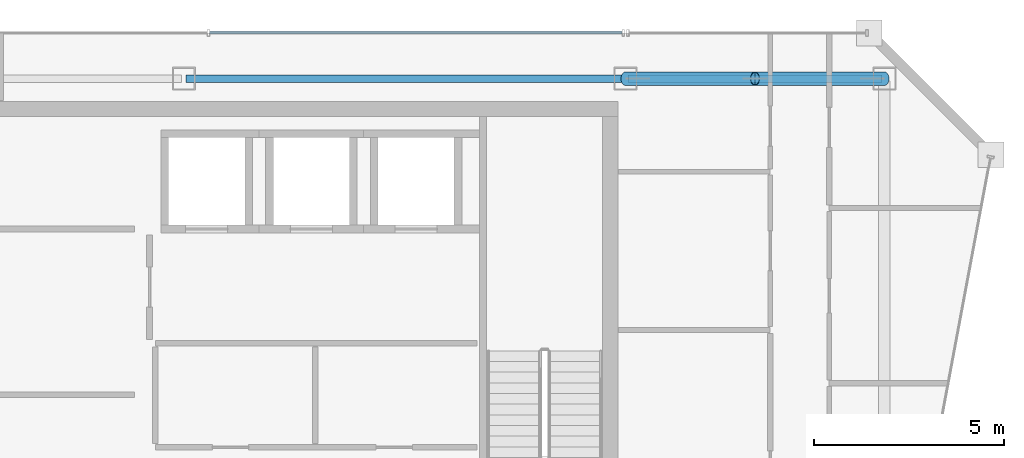
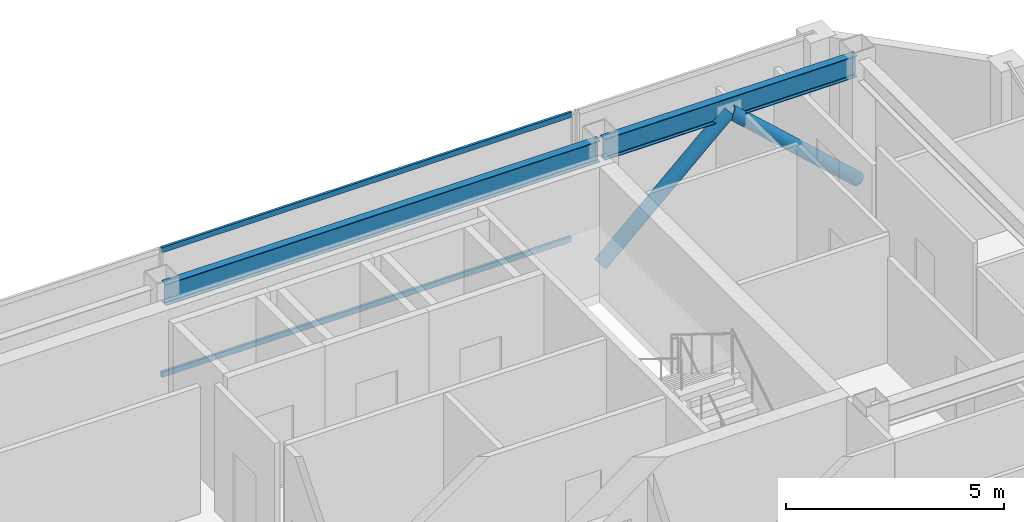
# One storey, part 15 of 23: 4 members, 2 beams, 1 element without a shape of its own.
"""IFC4 building model written with IfcOpenShell, lengths in metres."""

from ifc_helpers import new_model, si_unit, direction, frame, origin, origin_2d, place, context, subcontext, project, spatial, hollow_rectangle, hollow_circle, i_section, extrude, material, material_profile, profile_set, type_object, element, aggregate, save


model = new_model("IFC4")

# Units and contexts
model_context = context("Model", 3, precision=1e-05, world=origin(), true_north=direction((0.0, 1.0)))
body_context = subcontext(model_context, "Body", "Model", "MODEL_VIEW")
ifc_project = project(units=[si_unit("LENGTHUNIT", "METRE"), si_unit("AREAUNIT", "SQUARE_METRE"), si_unit("VOLUMEUNIT", "CUBIC_METRE"), si_unit("PLANEANGLEUNIT", "RADIAN"), si_unit("MASSUNIT", "GRAM", prefix="KILO")], contexts=[model_context])

# Site, building, storey
site_placement = place(None, origin())
site = spatial("IfcSite", under=ifc_project, at=site_placement, CompositionType="ELEMENT")
building_placement = place(site_placement, origin())
building = spatial("IfcBuilding", under=site, at=building_placement, Name="Saevonmaru Cultural Tower", CompositionType="ELEMENT")
storey_placement = place(building_placement, frame((0.0, 0.0, 280.0)))
storey = spatial("IfcBuildingStorey", under=building, at=storey_placement, Name="L66", CompositionType="ELEMENT", Elevation=280.0)

# Beams
ifc_material_1 = material(Name="Steel SM355", Category="steel")
ifc_material_profile_1 = material_profile(ifc_material_1, i_section(OverallWidth=0.199951171875, OverallDepth=0.60009765625, WebThickness=0.010986328125, FlangeThickness=0.01708984375, FilletRadius=0.02197265625, at=origin_2d()), Name="H-600x200x11x17")
ifc_profile_set_1 = profile_set([ifc_material_profile_1], Name="Steel SM355")
beam_type = type_object("IfcBeamType", Name="BM-SP-H600", PredefinedType="SPANDREL", material=ifc_profile_set_1)
beam_1_placement = place(storey_placement, frame((34.860107421875, 54.800048828125, 3.25), z_axis=(1.0, 0.0, 0.0), x_axis=(0.0, 1.0, 0.0)))
element("IfcBeam", 1, at=beam_1_placement, inside=storey, type_object=beam_type, Name="L66 North Spine Girder 4", PredefinedType="SPANDREL", context=body_context, shape_type="SweptSolid", body=[
    extrude(i_section(OverallWidth=0.199951171875, OverallDepth=0.60009765625, WebThickness=0.010986328125, FlangeThickness=0.01708984375, FilletRadius=0.02197265625, at=origin_2d()), origin(), (0.0, 0.0, 1.0), 11.47998046875),
])
beam_2_placement = place(storey_placement, frame((46.4599609375, 54.800048828125, 3.25), z_axis=(1.0, 0.0, 0.0), x_axis=(0.0, 1.0, 0.0)))
element("IfcBeam", 2, at=beam_2_placement, inside=storey, type_object=beam_type, Name="L66 North Spine Girder 5", PredefinedType="SPANDREL", context=body_context, shape_type="SweptSolid", body=[
    extrude(i_section(OverallWidth=0.199951171875, OverallDepth=0.60009765625, WebThickness=0.010986328125, FlangeThickness=0.01708984375, FilletRadius=0.02197265625, at=origin_2d()), origin(), (0.0, 0.0, 1.0), 6.679931640625),
])

# Members
ifc_material_profile_2 = material_profile(ifc_material_1, hollow_circle(Radius=0.177734375, WallThickness=0.01611328125, at=origin_2d()), Name="CHS-355.6x16")
ifc_profile_set_2 = profile_set([ifc_material_profile_2], Name="Steel SM355")
member_type_1 = type_object("IfcMemberType", Name="MB-PBR-CHS356", PredefinedType="BRACE", material=ifc_profile_set_2)
member_1_placement = place(storey_placement, frame((46.39990234375, 54.800048828125, 0.02001953125), z_axis=(0.738959728749, 0.0, 0.673749596873), x_axis=(0.0, 1.0, 0.0)))
element("IfcMember", 3, at=member_1_placement, inside=storey, type_object=member_type_1, Name="L66 Perimeter Braced-Tube Diagonal EN1", PredefinedType="BRACE", context=body_context, shape_type="SweptSolid", body=[
    extrude(hollow_circle(Radius=0.177734375, WallThickness=0.01611328125, at=origin_2d()), origin(), (0.0, 0.0, 1.0), 4.601318359375),
])
member_2_placement = place(storey_placement, frame((53.199951171875, 54.800048828125, 0.02001953125), z_axis=(-0.738935641579, 0.0, 0.673776014417), x_axis=(0.0, -1.0, 0.0)))
element("IfcMember", 4, at=member_2_placement, inside=storey, type_object=member_type_1, Name="L66 Perimeter Braced-Tube Diagonal EN2", PredefinedType="BRACE", context=body_context, shape_type="SweptSolid", body=[
    extrude(hollow_circle(Radius=0.177734375, WallThickness=0.01611328125, at=origin_2d()), origin(), (0.0, 0.0, 1.0), 4.60107421875),
])

# Curtain wall, members
ifc_material_2 = material(Name="Satin Bronze Anodised Aluminium", Category="aluminium")
curtain_wall_type = type_object("IfcCurtainWallType", Name="CW-TYP-B", PredefinedType="NOTDEFINED", material=ifc_material_2)
curtain_wall_placement = place(storey_placement, origin())
curtain_wall = element("IfcCurtainWall", 5, at=curtain_wall_placement, inside=storey, type_object=curtain_wall_type, Name="L66 North Spine Unitised Curtain Wall E10B", PredefinedType="NOTDEFINED")
ifc_material_profile_3 = material_profile(ifc_material_2, hollow_rectangle(XDim=0.06494140625, YDim=0.14990234375, WallThickness=0.00390625, at=origin_2d()), Name="ALU-TRAN-150x65x4")
ifc_profile_set_3 = profile_set([ifc_material_profile_3], Name="Satin Bronze Anodised Aluminium")
member_type_2 = type_object("IfcMemberType", Name="TR-CW-150x65", PredefinedType="USERDEFINED", material=ifc_profile_set_3)
member_3_placement = place(storey_placement, frame((46.3076171875, 56.0, 0.032470703125), z_axis=(-1.0, 0.0, 0.0), x_axis=(0.0, -1.0, 0.0)))
member_3 = element("IfcMember", 6, at=member_3_placement, type_object=member_type_2, Name="CW-TW-L66-E10B transom 1.1", ObjectType="TRANSOM", PredefinedType="USERDEFINED", context=body_context, shape_type="SweptSolid", body=[
    extrude(hollow_rectangle(XDim=0.06494140625, YDim=0.14990234375, WallThickness=0.00390625, at=origin_2d()), origin(), (0.0, 0.0, 1.0), 10.828369140625),
])
member_4_placement = place(storey_placement, frame((46.3076171875, 56.0, 3.517578125), z_axis=(-1.0, 0.0, 0.0), x_axis=(0.0, -1.0, 0.0)))
member_4 = element("IfcMember", 7, at=member_4_placement, type_object=member_type_2, Name="CW-TW-L66-E10B transom 1.2", ObjectType="TRANSOM", PredefinedType="USERDEFINED", context=body_context, shape_type="SweptSolid", body=[
    extrude(hollow_rectangle(XDim=0.06494140625, YDim=0.14990234375, WallThickness=0.00390625, at=origin_2d()), origin(), (0.0, 0.0, 1.0), 10.828369140625),
])
aggregate(curtain_wall, [member_3, member_4])

save(model, "model.ifc")
